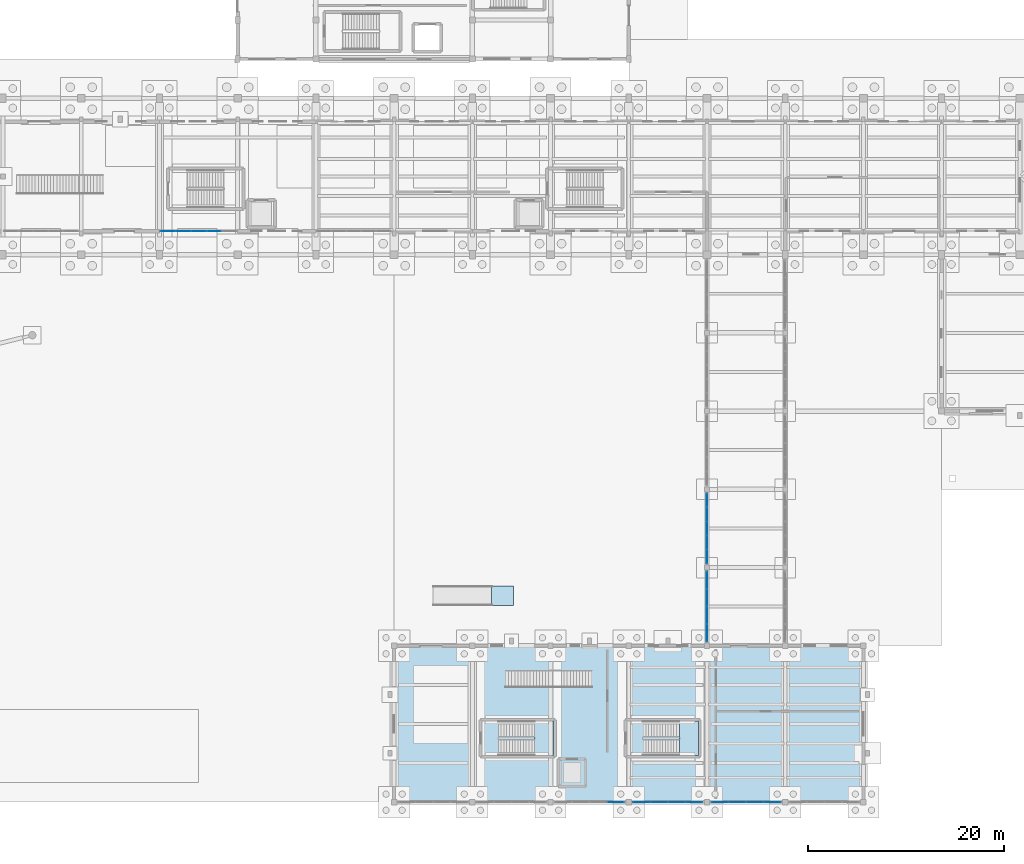
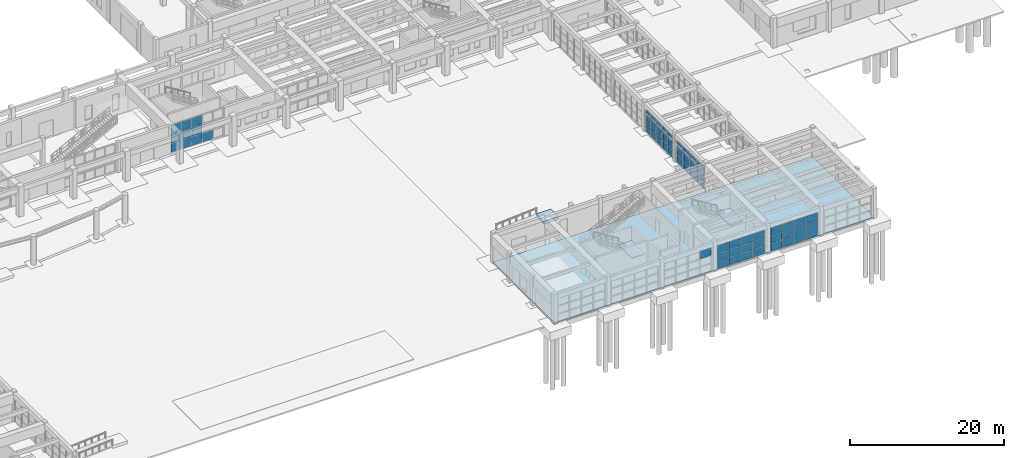
# One storey, part 38 of 68: 62 plates, 4 slabs, 8 elements without a shape of their own.
"""IFC4 building model written with IfcOpenShell, lengths in metres."""

from ifc_helpers import new_model, si_unit, direction, frame, origin, origin_2d, place, context, subcontext, project, spatial, polyline, rectangle, outline, extrude, material, layer, layer_set, type_object, element, aggregate, save


model = new_model("IFC4")

# Units and contexts
model_context = context("Model", 3, precision=1e-05, world=origin(), true_north=direction((0.0, 1.0)))
body_context = subcontext(model_context, "Body", "Model", "MODEL_VIEW")
ifc_project = project(units=[si_unit("LENGTHUNIT", "METRE"), si_unit("AREAUNIT", "SQUARE_METRE"), si_unit("VOLUMEUNIT", "CUBIC_METRE"), si_unit("PLANEANGLEUNIT", "RADIAN"), si_unit("MASSUNIT", "GRAM", prefix="KILO")], contexts=[model_context])

# Site, building, storey
site_placement = place(None, origin())
site = spatial("IfcSite", under=ifc_project, at=site_placement, CompositionType="ELEMENT")
building_placement = place(site_placement, origin())
building = spatial("IfcBuilding", under=site, at=building_placement, Name="Serraluz Foothill Cableway Terminal", CompositionType="ELEMENT")
storey_placement = place(building_placement, origin())
storey = spatial("IfcBuildingStorey", under=building, at=storey_placement, Name="L00", CompositionType="ELEMENT", Elevation=0.0)

# Curtain wall, plates
ifc_material_1 = material(Name="Architectural bronze alloy C28000", Category="aluminium")
curtain_wall_type_1 = type_object("IfcCurtainWallType", Name="TYP-CW-720X480", PredefinedType="NOTDEFINED", material=ifc_material_1)
curtain_wall_1_placement = place(storey_placement, origin())
curtain_wall_1 = element("IfcCurtainWall", 1, at=curtain_wall_1_placement, inside=storey, type_object=curtain_wall_type_1, Name="Ribbed Glazed Curtain Wall CW-V1S-L00-64", PredefinedType="NOTDEFINED")
ifc_material_2 = material(Name="Translucent ribbed laminated channel glass", Category="glass")
ifc_layer_1 = layer(ifc_material_2, 0.028076171875, Name="Translucent ribbed laminated channel glass", Category="glass")
ifc_layer_set_1 = layer_set([ifc_layer_1], Name="Translucent ribbed laminated channel glass")
plate_type_1 = type_object("IfcPlateType", Name="TYP-CW-PNL-28", PredefinedType="CURTAIN_PANEL", material=ifc_layer_set_1)
plate_1_placement = place(storey_placement, frame((69.5791015625, 58.39990234375, 0.06005859375), z_axis=(0.0, 0.0, 1.0), x_axis=(-1.0, 0.0, 0.0)))
plate_1 = element("IfcPlate", 2, at=plate_1_placement, type_object=plate_type_1, Name="CW-04 panel 2.1", PredefinedType="CURTAIN_PANEL", context=body_context, shape_type="SweptSolid", body=[
    extrude(rectangle(XDim=1.519287109375, YDim=0.028076171875, at=origin_2d()), origin(), (0.0, 0.0, 1.0), 1.393310546875),
])
plate_2_placement = place(storey_placement, frame((68.0, 58.39990234375, 0.06005859375), z_axis=(0.0, 0.0, 1.0), x_axis=(-1.0, 0.0, 0.0)))
plate_2 = element("IfcPlate", 3, at=plate_2_placement, type_object=plate_type_1, Name="CW-04 panel 3.1", PredefinedType="CURTAIN_PANEL", context=body_context, shape_type="SweptSolid", body=[
    extrude(rectangle(XDim=1.519287109375, YDim=0.028076171875, at=origin_2d()), origin(), (0.0, 0.0, 1.0), 1.393310546875),
])
plate_3_placement = place(storey_placement, frame((68.0, 58.39990234375, 1.513427734375), z_axis=(0.0, 0.0, 1.0), x_axis=(-1.0, 0.0, 0.0)))
plate_3 = element("IfcPlate", 4, at=plate_3_placement, type_object=plate_type_1, Name="CW-04 panel 3.2", PredefinedType="CURTAIN_PANEL", context=body_context, shape_type="SweptSolid", body=[
    extrude(rectangle(XDim=1.519287109375, YDim=0.028076171875, at=origin_2d()), origin(), (0.0, 0.0, 1.0), 1.42333984375),
])
plate_4_placement = place(storey_placement, frame((68.0, 58.39990234375, 2.99658203125), z_axis=(0.0, 0.0, 1.0), x_axis=(-1.0, 0.0, 0.0)))
plate_4 = element("IfcPlate", 5, at=plate_4_placement, type_object=plate_type_1, Name="CW-04 panel 3.3", PredefinedType="CURTAIN_PANEL", context=body_context, shape_type="SweptSolid", body=[
    extrude(rectangle(XDim=1.519287109375, YDim=0.028076171875, at=origin_2d()), origin(), (0.0, 0.0, 1.0), 1.393310546875),
])
plate_5_placement = place(storey_placement, frame((66.4208984375, 58.39990234375, 0.06005859375), z_axis=(0.0, 0.0, 1.0), x_axis=(-1.0, 0.0, 0.0)))
plate_5 = element("IfcPlate", 6, at=plate_5_placement, type_object=plate_type_1, Name="CW-04 panel 4.1", PredefinedType="CURTAIN_PANEL", context=body_context, shape_type="SweptSolid", body=[
    extrude(rectangle(XDim=1.519287109375, YDim=0.028076171875, at=origin_2d()), origin(), (0.0, 0.0, 1.0), 1.393310546875),
])
plate_6_placement = place(storey_placement, frame((66.4208984375, 58.39990234375, 1.513427734375), z_axis=(0.0, 0.0, 1.0), x_axis=(-1.0, 0.0, 0.0)))
plate_6 = element("IfcPlate", 7, at=plate_6_placement, type_object=plate_type_1, Name="CW-04 panel 4.2", PredefinedType="CURTAIN_PANEL", context=body_context, shape_type="SweptSolid", body=[
    extrude(rectangle(XDim=1.519287109375, YDim=0.028076171875, at=origin_2d()), origin(), (0.0, 0.0, 1.0), 1.42333984375),
])
plate_7_placement = place(storey_placement, frame((66.4208984375, 58.39990234375, 2.99658203125), z_axis=(0.0, 0.0, 1.0), x_axis=(-1.0, 0.0, 0.0)))
plate_7 = element("IfcPlate", 8, at=plate_7_placement, type_object=plate_type_1, Name="CW-04 panel 4.3", PredefinedType="CURTAIN_PANEL", context=body_context, shape_type="SweptSolid", body=[
    extrude(rectangle(XDim=1.519287109375, YDim=0.028076171875, at=origin_2d()), origin(), (0.0, 0.0, 1.0), 1.393310546875),
])
plate_8_placement = place(storey_placement, frame((64.856689453125, 58.39990234375, 0.06005859375), z_axis=(0.0, 0.0, 1.0), x_axis=(-1.0, 0.0, 0.0)))
plate_8 = element("IfcPlate", 9, at=plate_8_placement, type_object=plate_type_1, Name="CW-04 panel 5.1", PredefinedType="CURTAIN_PANEL", context=body_context, shape_type="SweptSolid", body=[
    extrude(rectangle(XDim=1.4892578125, YDim=0.028076171875, at=origin_2d()), origin(), (0.0, 0.0, 1.0), 1.393310546875),
])
plate_9_placement = place(storey_placement, frame((64.856689453125, 58.39990234375, 1.513427734375), z_axis=(0.0, 0.0, 1.0), x_axis=(-1.0, 0.0, 0.0)))
plate_9 = element("IfcPlate", 10, at=plate_9_placement, type_object=plate_type_1, Name="CW-04 panel 5.2", PredefinedType="CURTAIN_PANEL", context=body_context, shape_type="SweptSolid", body=[
    extrude(rectangle(XDim=1.4892578125, YDim=0.028076171875, at=origin_2d()), origin(), (0.0, 0.0, 1.0), 1.42333984375),
])
plate_10_placement = place(storey_placement, frame((64.856689453125, 58.39990234375, 2.99658203125), z_axis=(0.0, 0.0, 1.0), x_axis=(-1.0, 0.0, 0.0)))
plate_10 = element("IfcPlate", 11, at=plate_10_placement, type_object=plate_type_1, Name="CW-04 panel 5.3", PredefinedType="CURTAIN_PANEL", context=body_context, shape_type="SweptSolid", body=[
    extrude(rectangle(XDim=1.4892578125, YDim=0.028076171875, at=origin_2d()), origin(), (0.0, 0.0, 1.0), 1.393310546875),
])
aggregate(curtain_wall_1, [plate_1, plate_2, plate_3, plate_4, plate_5, plate_6, plate_7, plate_8, plate_9, plate_10])

curtain_wall_type_2 = type_object("IfcCurtainWallType", Name="TYP-CW-710X420", PredefinedType="NOTDEFINED", material=ifc_material_1)
curtain_wall_2_placement = place(storey_placement, origin())
curtain_wall_2 = element("IfcCurtainWall", 12, at=curtain_wall_2_placement, inside=storey, type_object=curtain_wall_type_2, Name="Ribbed Glazed Curtain Wall CW-CLW-L00-16", PredefinedType="NOTDEFINED")
plate_11_placement = place(storey_placement, frame((120.0, 17.329345703125, 0.06005859375), z_axis=(0.0, 0.0, 1.0), x_axis=(0.0, 1.0, 0.0)))
plate_11 = element("IfcPlate", 13, at=plate_11_placement, type_object=plate_type_1, Name="CW-01 panel 1.1", PredefinedType="CURTAIN_PANEL", context=body_context, shape_type="SweptSolid", body=[
    extrude(rectangle(XDim=1.708740234375, YDim=0.028076171875, at=origin_2d()), origin(), (0.0, 0.0, 1.0), 1.163330078125),
])
plate_12_placement = place(storey_placement, frame((120.0, 17.329345703125, 1.283203125), z_axis=(0.0, 0.0, 1.0), x_axis=(0.0, 1.0, 0.0)))
plate_12 = element("IfcPlate", 14, at=plate_12_placement, type_object=plate_type_1, Name="CW-01 panel 1.2", PredefinedType="CURTAIN_PANEL", context=body_context, shape_type="SweptSolid", body=[
    extrude(rectangle(XDim=1.708740234375, YDim=0.028076171875, at=origin_2d()), origin(), (0.0, 0.0, 1.0), 1.193359375),
])
plate_13_placement = place(storey_placement, frame((120.0, 17.329345703125, 2.53662109375), z_axis=(0.0, 0.0, 1.0), x_axis=(0.0, 1.0, 0.0)))
plate_13 = element("IfcPlate", 15, at=plate_13_placement, type_object=plate_type_1, Name="CW-01 panel 1.3", PredefinedType="CURTAIN_PANEL", context=body_context, shape_type="SweptSolid", body=[
    extrude(rectangle(XDim=1.708740234375, YDim=0.028076171875, at=origin_2d()), origin(), (0.0, 0.0, 1.0), 1.163330078125),
])
plate_14_placement = place(storey_placement, frame((120.0, 19.113037109375, 0.06005859375), z_axis=(0.0, 0.0, 1.0), x_axis=(0.0, 1.0, 0.0)))
plate_14 = element("IfcPlate", 16, at=plate_14_placement, type_object=plate_type_1, Name="CW-01 panel 2.1", PredefinedType="CURTAIN_PANEL", context=body_context, shape_type="SweptSolid", body=[
    extrude(rectangle(XDim=1.73876953125, YDim=0.028076171875, at=origin_2d()), origin(), (0.0, 0.0, 1.0), 1.163330078125),
])
plate_15_placement = place(storey_placement, frame((120.0, 19.113037109375, 1.283203125), z_axis=(0.0, 0.0, 1.0), x_axis=(0.0, 1.0, 0.0)))
plate_15 = element("IfcPlate", 17, at=plate_15_placement, type_object=plate_type_1, Name="CW-01 panel 2.2", PredefinedType="CURTAIN_PANEL", context=body_context, shape_type="SweptSolid", body=[
    extrude(rectangle(XDim=1.73876953125, YDim=0.028076171875, at=origin_2d()), origin(), (0.0, 0.0, 1.0), 1.193359375),
])
plate_16_placement = place(storey_placement, frame((120.0, 19.113037109375, 2.53662109375), z_axis=(0.0, 0.0, 1.0), x_axis=(0.0, 1.0, 0.0)))
plate_16 = element("IfcPlate", 18, at=plate_16_placement, type_object=plate_type_1, Name="CW-01 panel 2.3", PredefinedType="CURTAIN_PANEL", context=body_context, shape_type="SweptSolid", body=[
    extrude(rectangle(XDim=1.73876953125, YDim=0.028076171875, at=origin_2d()), origin(), (0.0, 0.0, 1.0), 1.163330078125),
])
plate_17_placement = place(storey_placement, frame((120.0, 20.911865234375, 0.06005859375), z_axis=(0.0, 0.0, 1.0), x_axis=(0.0, 1.0, 0.0)))
plate_17 = element("IfcPlate", 19, at=plate_17_placement, type_object=plate_type_1, Name="CW-01 panel 3.1", PredefinedType="CURTAIN_PANEL", context=body_context, shape_type="SweptSolid", body=[
    extrude(rectangle(XDim=1.73876953125, YDim=0.028076171875, at=origin_2d()), origin(), (0.0, 0.0, 1.0), 1.163330078125),
])
plate_18_placement = place(storey_placement, frame((120.0, 20.911865234375, 1.283203125), z_axis=(0.0, 0.0, 1.0), x_axis=(0.0, 1.0, 0.0)))
plate_18 = element("IfcPlate", 20, at=plate_18_placement, type_object=plate_type_1, Name="CW-01 panel 3.2", PredefinedType="CURTAIN_PANEL", context=body_context, shape_type="SweptSolid", body=[
    extrude(rectangle(XDim=1.73876953125, YDim=0.028076171875, at=origin_2d()), origin(), (0.0, 0.0, 1.0), 1.193359375),
])
plate_19_placement = place(storey_placement, frame((120.0, 20.911865234375, 2.53662109375), z_axis=(0.0, 0.0, 1.0), x_axis=(0.0, 1.0, 0.0)))
plate_19 = element("IfcPlate", 21, at=plate_19_placement, type_object=plate_type_1, Name="CW-01 panel 3.3", PredefinedType="CURTAIN_PANEL", context=body_context, shape_type="SweptSolid", body=[
    extrude(rectangle(XDim=1.73876953125, YDim=0.028076171875, at=origin_2d()), origin(), (0.0, 0.0, 1.0), 1.163330078125),
])
plate_20_placement = place(storey_placement, frame((120.0, 22.695556640625, 0.06005859375), z_axis=(0.0, 0.0, 1.0), x_axis=(0.0, 1.0, 0.0)))
plate_20 = element("IfcPlate", 22, at=plate_20_placement, type_object=plate_type_1, Name="CW-01 panel 4.1", PredefinedType="CURTAIN_PANEL", context=body_context, shape_type="SweptSolid", body=[
    extrude(rectangle(XDim=1.708740234375, YDim=0.028076171875, at=origin_2d()), origin(), (0.0, 0.0, 1.0), 1.163330078125),
])
plate_21_placement = place(storey_placement, frame((120.0, 22.695556640625, 1.283203125), z_axis=(0.0, 0.0, 1.0), x_axis=(0.0, 1.0, 0.0)))
plate_21 = element("IfcPlate", 23, at=plate_21_placement, type_object=plate_type_1, Name="CW-01 panel 4.2", PredefinedType="CURTAIN_PANEL", context=body_context, shape_type="SweptSolid", body=[
    extrude(rectangle(XDim=1.708740234375, YDim=0.028076171875, at=origin_2d()), origin(), (0.0, 0.0, 1.0), 1.193359375),
])
plate_22_placement = place(storey_placement, frame((120.0, 22.695556640625, 2.53662109375), z_axis=(0.0, 0.0, 1.0), x_axis=(0.0, 1.0, 0.0)))
plate_22 = element("IfcPlate", 24, at=plate_22_placement, type_object=plate_type_1, Name="CW-01 panel 4.3", PredefinedType="CURTAIN_PANEL", context=body_context, shape_type="SweptSolid", body=[
    extrude(rectangle(XDim=1.708740234375, YDim=0.028076171875, at=origin_2d()), origin(), (0.0, 0.0, 1.0), 1.163330078125),
])
aggregate(curtain_wall_2, [plate_11, plate_12, plate_13, plate_14, plate_15, plate_16, plate_17, plate_18, plate_19, plate_20, plate_21, plate_22])

curtain_wall_3_placement = place(storey_placement, origin())
curtain_wall_3 = element("IfcCurtainWall", 25, at=curtain_wall_3_placement, inside=storey, type_object=curtain_wall_type_2, Name="Ribbed Glazed Curtain Wall CW-CLW-L00-24", PredefinedType="NOTDEFINED")
plate_23_placement = place(storey_placement, frame((120.0, 25.126953125, 0.06005859375), z_axis=(0.0, 0.0, 1.0), x_axis=(0.0, 1.0, 0.0)))
plate_23 = element("IfcPlate", 26, at=plate_23_placement, type_object=plate_type_1, Name="CW-01 panel 1.1", PredefinedType="CURTAIN_PANEL", context=body_context, shape_type="SweptSolid", body=[
    extrude(rectangle(XDim=1.35400390625, YDim=0.028076171875, at=origin_2d()), origin(), (0.0, 0.0, 1.0), 1.163330078125),
])
plate_24_placement = place(storey_placement, frame((120.0, 25.126953125, 1.283203125), z_axis=(0.0, 0.0, 1.0), x_axis=(0.0, 1.0, 0.0)))
plate_24 = element("IfcPlate", 27, at=plate_24_placement, type_object=plate_type_1, Name="CW-01 panel 1.2", PredefinedType="CURTAIN_PANEL", context=body_context, shape_type="SweptSolid", body=[
    extrude(rectangle(XDim=1.35400390625, YDim=0.028076171875, at=origin_2d()), origin(), (0.0, 0.0, 1.0), 1.193359375),
])
plate_25_placement = place(storey_placement, frame((120.0, 25.126953125, 2.53662109375), z_axis=(0.0, 0.0, 1.0), x_axis=(0.0, 1.0, 0.0)))
plate_25 = element("IfcPlate", 28, at=plate_25_placement, type_object=plate_type_1, Name="CW-01 panel 1.3", PredefinedType="CURTAIN_PANEL", context=body_context, shape_type="SweptSolid", body=[
    extrude(rectangle(XDim=1.35400390625, YDim=0.028076171875, at=origin_2d()), origin(), (0.0, 0.0, 1.0), 1.163330078125),
])
plate_26_placement = place(storey_placement, frame((120.0, 26.555908203125, 0.06005859375), z_axis=(0.0, 0.0, 1.0), x_axis=(0.0, 1.0, 0.0)))
plate_26 = element("IfcPlate", 29, at=plate_26_placement, type_object=plate_type_1, Name="CW-01 panel 2.1", PredefinedType="CURTAIN_PANEL", context=body_context, shape_type="SweptSolid", body=[
    extrude(rectangle(XDim=1.384033203125, YDim=0.028076171875, at=origin_2d()), origin(), (0.0, 0.0, 1.0), 1.163330078125),
])
plate_27_placement = place(storey_placement, frame((120.0, 26.555908203125, 1.283203125), z_axis=(0.0, 0.0, 1.0), x_axis=(0.0, 1.0, 0.0)))
plate_27 = element("IfcPlate", 30, at=plate_27_placement, type_object=plate_type_1, Name="CW-01 panel 2.2", PredefinedType="CURTAIN_PANEL", context=body_context, shape_type="SweptSolid", body=[
    extrude(rectangle(XDim=1.384033203125, YDim=0.028076171875, at=origin_2d()), origin(), (0.0, 0.0, 1.0), 1.193359375),
])
plate_28_placement = place(storey_placement, frame((120.0, 26.555908203125, 2.53662109375), z_axis=(0.0, 0.0, 1.0), x_axis=(0.0, 1.0, 0.0)))
plate_28 = element("IfcPlate", 31, at=plate_28_placement, type_object=plate_type_1, Name="CW-01 panel 2.3", PredefinedType="CURTAIN_PANEL", context=body_context, shape_type="SweptSolid", body=[
    extrude(rectangle(XDim=1.384033203125, YDim=0.028076171875, at=origin_2d()), origin(), (0.0, 0.0, 1.0), 1.163330078125),
])
plate_29_placement = place(storey_placement, frame((120.0, 28.0, 0.06005859375), z_axis=(0.0, 0.0, 1.0), x_axis=(0.0, 1.0, 0.0)))
plate_29 = element("IfcPlate", 32, at=plate_29_placement, type_object=plate_type_1, Name="CW-01 panel 3.1", PredefinedType="CURTAIN_PANEL", context=body_context, shape_type="SweptSolid", body=[
    extrude(rectangle(XDim=1.384033203125, YDim=0.028076171875, at=origin_2d()), origin(), (0.0, 0.0, 1.0), 1.163330078125),
])
plate_30_placement = place(storey_placement, frame((120.0, 28.0, 1.283203125), z_axis=(0.0, 0.0, 1.0), x_axis=(0.0, 1.0, 0.0)))
plate_30 = element("IfcPlate", 33, at=plate_30_placement, type_object=plate_type_1, Name="CW-01 panel 3.2", PredefinedType="CURTAIN_PANEL", context=body_context, shape_type="SweptSolid", body=[
    extrude(rectangle(XDim=1.384033203125, YDim=0.028076171875, at=origin_2d()), origin(), (0.0, 0.0, 1.0), 1.193359375),
])
plate_31_placement = place(storey_placement, frame((120.0, 28.0, 2.53662109375), z_axis=(0.0, 0.0, 1.0), x_axis=(0.0, 1.0, 0.0)))
plate_31 = element("IfcPlate", 34, at=plate_31_placement, type_object=plate_type_1, Name="CW-01 panel 3.3", PredefinedType="CURTAIN_PANEL", context=body_context, shape_type="SweptSolid", body=[
    extrude(rectangle(XDim=1.384033203125, YDim=0.028076171875, at=origin_2d()), origin(), (0.0, 0.0, 1.0), 1.163330078125),
])
plate_32_placement = place(storey_placement, frame((120.0, 29.444091796875, 0.06005859375), z_axis=(0.0, 0.0, 1.0), x_axis=(0.0, 1.0, 0.0)))
plate_32 = element("IfcPlate", 35, at=plate_32_placement, type_object=plate_type_1, Name="CW-01 panel 4.1", PredefinedType="CURTAIN_PANEL", context=body_context, shape_type="SweptSolid", body=[
    extrude(rectangle(XDim=1.384033203125, YDim=0.028076171875, at=origin_2d()), origin(), (0.0, 0.0, 1.0), 1.163330078125),
])
plate_33_placement = place(storey_placement, frame((120.0, 29.444091796875, 1.283203125), z_axis=(0.0, 0.0, 1.0), x_axis=(0.0, 1.0, 0.0)))
plate_33 = element("IfcPlate", 36, at=plate_33_placement, type_object=plate_type_1, Name="CW-01 panel 4.2", PredefinedType="CURTAIN_PANEL", context=body_context, shape_type="SweptSolid", body=[
    extrude(rectangle(XDim=1.384033203125, YDim=0.028076171875, at=origin_2d()), origin(), (0.0, 0.0, 1.0), 1.193359375),
])
plate_34_placement = place(storey_placement, frame((120.0, 29.444091796875, 2.53662109375), z_axis=(0.0, 0.0, 1.0), x_axis=(0.0, 1.0, 0.0)))
plate_34 = element("IfcPlate", 37, at=plate_34_placement, type_object=plate_type_1, Name="CW-01 panel 4.3", PredefinedType="CURTAIN_PANEL", context=body_context, shape_type="SweptSolid", body=[
    extrude(rectangle(XDim=1.384033203125, YDim=0.028076171875, at=origin_2d()), origin(), (0.0, 0.0, 1.0), 1.163330078125),
])
plate_35_placement = place(storey_placement, frame((120.0, 30.873046875, 0.06005859375), z_axis=(0.0, 0.0, 1.0), x_axis=(0.0, 1.0, 0.0)))
plate_35 = element("IfcPlate", 38, at=plate_35_placement, type_object=plate_type_1, Name="CW-01 panel 5.1", PredefinedType="CURTAIN_PANEL", context=body_context, shape_type="SweptSolid", body=[
    extrude(rectangle(XDim=1.35400390625, YDim=0.028076171875, at=origin_2d()), origin(), (0.0, 0.0, 1.0), 1.163330078125),
])
plate_36_placement = place(storey_placement, frame((120.0, 30.873046875, 1.283203125), z_axis=(0.0, 0.0, 1.0), x_axis=(0.0, 1.0, 0.0)))
plate_36 = element("IfcPlate", 39, at=plate_36_placement, type_object=plate_type_1, Name="CW-01 panel 5.2", PredefinedType="CURTAIN_PANEL", context=body_context, shape_type="SweptSolid", body=[
    extrude(rectangle(XDim=1.35400390625, YDim=0.028076171875, at=origin_2d()), origin(), (0.0, 0.0, 1.0), 1.193359375),
])
plate_37_placement = place(storey_placement, frame((120.0, 30.873046875, 2.53662109375), z_axis=(0.0, 0.0, 1.0), x_axis=(0.0, 1.0, 0.0)))
plate_37 = element("IfcPlate", 40, at=plate_37_placement, type_object=plate_type_1, Name="CW-01 panel 5.3", PredefinedType="CURTAIN_PANEL", context=body_context, shape_type="SweptSolid", body=[
    extrude(rectangle(XDim=1.35400390625, YDim=0.028076171875, at=origin_2d()), origin(), (0.0, 0.0, 1.0), 1.163330078125),
])
aggregate(curtain_wall_3, [plate_23, plate_24, plate_25, plate_26, plate_27, plate_28, plate_29, plate_30, plate_31, plate_32, plate_33, plate_34, plate_35, plate_36, plate_37])

# Curtain wall, plate
curtain_wall_type_3 = type_object("IfcCurtainWallType", Name="TYP-CW-480X380", PredefinedType="NOTDEFINED", material=ifc_material_1)
curtain_wall_4_placement = place(storey_placement, origin())
curtain_wall_4 = element("IfcCurtainWall", 41, at=curtain_wall_4_placement, inside=storey, type_object=curtain_wall_type_3, Name="Ribbed Glazed Curtain Wall CW-V3S-L00-104", PredefinedType="NOTDEFINED")
ifc_material_3 = material(Name="Laminated low-E safety glass", Category="glass")
ifc_layer_2 = layer(ifc_material_3, 0.031982421875, Name="Laminated low-E safety glass", Category="glass")
ifc_layer_set_2 = layer_set([ifc_layer_2], Name="Laminated low-E safety glass")
plate_type_2 = type_object("IfcPlateType", Name="TYP-CW-PNL-32", PredefinedType="CURTAIN_PANEL", material=ifc_layer_set_2)
plate_38_placement = place(storey_placement, frame((110.673828125, 0.0, 2.556640625), z_axis=(0.0, 0.0, 1.0), x_axis=(-1.0, 0.0, 0.0)))
plate_38 = element("IfcPlate", 42, at=plate_38_placement, type_object=plate_type_2, Name="CW-14 panel 1.3", PredefinedType="CURTAIN_PANEL", context=body_context, shape_type="SweptSolid", body=[
    extrude(rectangle(XDim=1.702392578125, YDim=0.031982421875, at=origin_2d()), origin(), (0.0, 0.0, 1.0), 1.17333984375),
])
aggregate(curtain_wall_4, [plate_38])

# Curtain wall, plates
curtain_wall_type_4 = type_object("IfcCurtainWallType", Name="TYP-CW-480X420", PredefinedType="NOTDEFINED", material=ifc_material_1)
curtain_wall_5_placement = place(storey_placement, origin())
curtain_wall_5 = element("IfcCurtainWall", 43, at=curtain_wall_5_placement, inside=storey, type_object=curtain_wall_type_4, Name="Ribbed Glazed Curtain Wall CW-V3S-L00-112", PredefinedType="NOTDEFINED")
plate_39_placement = place(storey_placement, frame((118.673828125, 0.0, 0.06005859375), z_axis=(0.0, 0.0, 1.0), x_axis=(-1.0, 0.0, 0.0)))
plate_39 = element("IfcPlate", 44, at=plate_39_placement, type_object=plate_type_2, Name="CW-15 panel 1.1", PredefinedType="CURTAIN_PANEL", context=body_context, shape_type="SweptSolid", body=[
    extrude(rectangle(XDim=1.702392578125, YDim=0.031982421875, at=origin_2d()), origin(), (0.0, 0.0, 1.0), 1.17333984375),
])
plate_40_placement = place(storey_placement, frame((118.673828125, 0.0, 1.29345703125), z_axis=(0.0, 0.0, 1.0), x_axis=(-1.0, 0.0, 0.0)))
plate_40 = element("IfcPlate", 45, at=plate_40_placement, type_object=plate_type_2, Name="CW-15 panel 1.2", PredefinedType="CURTAIN_PANEL", context=body_context, shape_type="SweptSolid", body=[
    extrude(rectangle(XDim=1.702392578125, YDim=0.031982421875, at=origin_2d()), origin(), (0.0, 0.0, 1.0), 1.203369140625),
])
plate_41_placement = place(storey_placement, frame((118.673828125, 0.0, 2.556640625), z_axis=(0.0, 0.0, 1.0), x_axis=(-1.0, 0.0, 0.0)))
plate_41 = element("IfcPlate", 46, at=plate_41_placement, type_object=plate_type_2, Name="CW-15 panel 1.3", PredefinedType="CURTAIN_PANEL", context=body_context, shape_type="SweptSolid", body=[
    extrude(rectangle(XDim=1.702392578125, YDim=0.031982421875, at=origin_2d()), origin(), (0.0, 0.0, 1.0), 1.17333984375),
])
plate_42_placement = place(storey_placement, frame((116.896240234375, 0.0, 0.06005859375), z_axis=(0.0, 0.0, 1.0), x_axis=(-1.0, 0.0, 0.0)))
plate_42 = element("IfcPlate", 47, at=plate_42_placement, type_object=plate_type_2, Name="CW-15 panel 2.1", PredefinedType="CURTAIN_PANEL", context=body_context, shape_type="SweptSolid", body=[
    extrude(rectangle(XDim=1.732421875, YDim=0.031982421875, at=origin_2d()), origin(), (0.0, 0.0, 1.0), 1.17333984375),
])
plate_43_placement = place(storey_placement, frame((116.896240234375, 0.0, 1.29345703125), z_axis=(0.0, 0.0, 1.0), x_axis=(-1.0, 0.0, 0.0)))
plate_43 = element("IfcPlate", 48, at=plate_43_placement, type_object=plate_type_2, Name="CW-15 panel 2.2", PredefinedType="CURTAIN_PANEL", context=body_context, shape_type="SweptSolid", body=[
    extrude(rectangle(XDim=1.732421875, YDim=0.031982421875, at=origin_2d()), origin(), (0.0, 0.0, 1.0), 1.203369140625),
])
plate_44_placement = place(storey_placement, frame((116.896240234375, 0.0, 2.556640625), z_axis=(0.0, 0.0, 1.0), x_axis=(-1.0, 0.0, 0.0)))
plate_44 = element("IfcPlate", 49, at=plate_44_placement, type_object=plate_type_2, Name="CW-15 panel 2.3", PredefinedType="CURTAIN_PANEL", context=body_context, shape_type="SweptSolid", body=[
    extrude(rectangle(XDim=1.732421875, YDim=0.031982421875, at=origin_2d()), origin(), (0.0, 0.0, 1.0), 1.17333984375),
])
plate_45_placement = place(storey_placement, frame((115.103759765625, 0.0, 0.06005859375), z_axis=(0.0, 0.0, 1.0), x_axis=(-1.0, 0.0, 0.0)))
plate_45 = element("IfcPlate", 50, at=plate_45_placement, type_object=plate_type_2, Name="CW-15 panel 3.1", PredefinedType="CURTAIN_PANEL", context=body_context, shape_type="SweptSolid", body=[
    extrude(rectangle(XDim=1.732421875, YDim=0.031982421875, at=origin_2d()), origin(), (0.0, 0.0, 1.0), 1.17333984375),
])
plate_46_placement = place(storey_placement, frame((115.103759765625, 0.0, 1.29345703125), z_axis=(0.0, 0.0, 1.0), x_axis=(-1.0, 0.0, 0.0)))
plate_46 = element("IfcPlate", 51, at=plate_46_placement, type_object=plate_type_2, Name="CW-15 panel 3.2", PredefinedType="CURTAIN_PANEL", context=body_context, shape_type="SweptSolid", body=[
    extrude(rectangle(XDim=1.732421875, YDim=0.031982421875, at=origin_2d()), origin(), (0.0, 0.0, 1.0), 1.203369140625),
])
plate_47_placement = place(storey_placement, frame((115.103759765625, 0.0, 2.556640625), z_axis=(0.0, 0.0, 1.0), x_axis=(-1.0, 0.0, 0.0)))
plate_47 = element("IfcPlate", 52, at=plate_47_placement, type_object=plate_type_2, Name="CW-15 panel 3.3", PredefinedType="CURTAIN_PANEL", context=body_context, shape_type="SweptSolid", body=[
    extrude(rectangle(XDim=1.732421875, YDim=0.031982421875, at=origin_2d()), origin(), (0.0, 0.0, 1.0), 1.17333984375),
])
plate_48_placement = place(storey_placement, frame((113.326171875, 0.0, 0.06005859375), z_axis=(0.0, 0.0, 1.0), x_axis=(-1.0, 0.0, 0.0)))
plate_48 = element("IfcPlate", 53, at=plate_48_placement, type_object=plate_type_2, Name="CW-15 panel 4.1", PredefinedType="CURTAIN_PANEL", context=body_context, shape_type="SweptSolid", body=[
    extrude(rectangle(XDim=1.702392578125, YDim=0.031982421875, at=origin_2d()), origin(), (0.0, 0.0, 1.0), 1.17333984375),
])
plate_49_placement = place(storey_placement, frame((113.326171875, 0.0, 1.29345703125), z_axis=(0.0, 0.0, 1.0), x_axis=(-1.0, 0.0, 0.0)))
plate_49 = element("IfcPlate", 54, at=plate_49_placement, type_object=plate_type_2, Name="CW-15 panel 4.2", PredefinedType="CURTAIN_PANEL", context=body_context, shape_type="SweptSolid", body=[
    extrude(rectangle(XDim=1.702392578125, YDim=0.031982421875, at=origin_2d()), origin(), (0.0, 0.0, 1.0), 1.203369140625),
])
plate_50_placement = place(storey_placement, frame((113.326171875, 0.0, 2.556640625), z_axis=(0.0, 0.0, 1.0), x_axis=(-1.0, 0.0, 0.0)))
plate_50 = element("IfcPlate", 55, at=plate_50_placement, type_object=plate_type_2, Name="CW-15 panel 4.3", PredefinedType="CURTAIN_PANEL", context=body_context, shape_type="SweptSolid", body=[
    extrude(rectangle(XDim=1.702392578125, YDim=0.031982421875, at=origin_2d()), origin(), (0.0, 0.0, 1.0), 1.17333984375),
])
aggregate(curtain_wall_5, [plate_39, plate_40, plate_41, plate_42, plate_43, plate_44, plate_45, plate_46, plate_47, plate_48, plate_49, plate_50])

curtain_wall_type_5 = type_object("IfcCurtainWallType", Name="TYP-CW-440X360", PredefinedType="NOTDEFINED", material=ifc_material_1)
curtain_wall_6_placement = place(storey_placement, origin())
curtain_wall_6 = element("IfcCurtainWall", 56, at=curtain_wall_6_placement, inside=storey, type_object=curtain_wall_type_5, Name="Ribbed Glazed Curtain Wall CW-V3S-L00-120", PredefinedType="NOTDEFINED")
plate_51_placement = place(storey_placement, frame((126.673828125, 0.0, 0.06005859375), z_axis=(0.0, 0.0, 1.0), x_axis=(-1.0, 0.0, 0.0)))
plate_51 = element("IfcPlate", 57, at=plate_51_placement, type_object=plate_type_2, Name="CW-16 panel 1.1", PredefinedType="CURTAIN_PANEL", context=body_context, shape_type="SweptSolid", body=[
    extrude(rectangle(XDim=1.702392578125, YDim=0.031982421875, at=origin_2d()), origin(), (0.0, 0.0, 1.0), 1.17333984375),
])
plate_52_placement = place(storey_placement, frame((126.673828125, 0.0, 1.29345703125), z_axis=(0.0, 0.0, 1.0), x_axis=(-1.0, 0.0, 0.0)))
plate_52 = element("IfcPlate", 58, at=plate_52_placement, type_object=plate_type_2, Name="CW-16 panel 1.2", PredefinedType="CURTAIN_PANEL", context=body_context, shape_type="SweptSolid", body=[
    extrude(rectangle(XDim=1.702392578125, YDim=0.031982421875, at=origin_2d()), origin(), (0.0, 0.0, 1.0), 1.203369140625),
])
plate_53_placement = place(storey_placement, frame((126.673828125, 0.0, 2.556640625), z_axis=(0.0, 0.0, 1.0), x_axis=(-1.0, 0.0, 0.0)))
plate_53 = element("IfcPlate", 59, at=plate_53_placement, type_object=plate_type_2, Name="CW-16 panel 1.3", PredefinedType="CURTAIN_PANEL", context=body_context, shape_type="SweptSolid", body=[
    extrude(rectangle(XDim=1.702392578125, YDim=0.031982421875, at=origin_2d()), origin(), (0.0, 0.0, 1.0), 1.17333984375),
])
plate_54_placement = place(storey_placement, frame((124.896240234375, 0.0, 0.06005859375), z_axis=(0.0, 0.0, 1.0), x_axis=(-1.0, 0.0, 0.0)))
plate_54 = element("IfcPlate", 60, at=plate_54_placement, type_object=plate_type_2, Name="CW-16 panel 2.1", PredefinedType="CURTAIN_PANEL", context=body_context, shape_type="SweptSolid", body=[
    extrude(rectangle(XDim=1.732421875, YDim=0.031982421875, at=origin_2d()), origin(), (0.0, 0.0, 1.0), 1.17333984375),
])
plate_55_placement = place(storey_placement, frame((124.896240234375, 0.0, 1.29345703125), z_axis=(0.0, 0.0, 1.0), x_axis=(-1.0, 0.0, 0.0)))
plate_55 = element("IfcPlate", 61, at=plate_55_placement, type_object=plate_type_2, Name="CW-16 panel 2.2", PredefinedType="CURTAIN_PANEL", context=body_context, shape_type="SweptSolid", body=[
    extrude(rectangle(XDim=1.732421875, YDim=0.031982421875, at=origin_2d()), origin(), (0.0, 0.0, 1.0), 1.203369140625),
])
plate_56_placement = place(storey_placement, frame((124.896240234375, 0.0, 2.556640625), z_axis=(0.0, 0.0, 1.0), x_axis=(-1.0, 0.0, 0.0)))
plate_56 = element("IfcPlate", 62, at=plate_56_placement, type_object=plate_type_2, Name="CW-16 panel 2.3", PredefinedType="CURTAIN_PANEL", context=body_context, shape_type="SweptSolid", body=[
    extrude(rectangle(XDim=1.732421875, YDim=0.031982421875, at=origin_2d()), origin(), (0.0, 0.0, 1.0), 1.17333984375),
])
plate_57_placement = place(storey_placement, frame((123.103759765625, 0.0, 0.06005859375), z_axis=(0.0, 0.0, 1.0), x_axis=(-1.0, 0.0, 0.0)))
plate_57 = element("IfcPlate", 63, at=plate_57_placement, type_object=plate_type_2, Name="CW-16 panel 3.1", PredefinedType="CURTAIN_PANEL", context=body_context, shape_type="SweptSolid", body=[
    extrude(rectangle(XDim=1.732421875, YDim=0.031982421875, at=origin_2d()), origin(), (0.0, 0.0, 1.0), 1.17333984375),
])
plate_58_placement = place(storey_placement, frame((123.103759765625, 0.0, 1.29345703125), z_axis=(0.0, 0.0, 1.0), x_axis=(-1.0, 0.0, 0.0)))
plate_58 = element("IfcPlate", 64, at=plate_58_placement, type_object=plate_type_2, Name="CW-16 panel 3.2", PredefinedType="CURTAIN_PANEL", context=body_context, shape_type="SweptSolid", body=[
    extrude(rectangle(XDim=1.732421875, YDim=0.031982421875, at=origin_2d()), origin(), (0.0, 0.0, 1.0), 1.203369140625),
])
plate_59_placement = place(storey_placement, frame((123.103759765625, 0.0, 2.556640625), z_axis=(0.0, 0.0, 1.0), x_axis=(-1.0, 0.0, 0.0)))
plate_59 = element("IfcPlate", 65, at=plate_59_placement, type_object=plate_type_2, Name="CW-16 panel 3.3", PredefinedType="CURTAIN_PANEL", context=body_context, shape_type="SweptSolid", body=[
    extrude(rectangle(XDim=1.732421875, YDim=0.031982421875, at=origin_2d()), origin(), (0.0, 0.0, 1.0), 1.17333984375),
])
plate_60_placement = place(storey_placement, frame((121.326171875, 0.0, 0.06005859375), z_axis=(0.0, 0.0, 1.0), x_axis=(-1.0, 0.0, 0.0)))
plate_60 = element("IfcPlate", 66, at=plate_60_placement, type_object=plate_type_2, Name="CW-16 panel 4.1", PredefinedType="CURTAIN_PANEL", context=body_context, shape_type="SweptSolid", body=[
    extrude(rectangle(XDim=1.702392578125, YDim=0.031982421875, at=origin_2d()), origin(), (0.0, 0.0, 1.0), 1.17333984375),
])
plate_61_placement = place(storey_placement, frame((121.326171875, 0.0, 1.29345703125), z_axis=(0.0, 0.0, 1.0), x_axis=(-1.0, 0.0, 0.0)))
plate_61 = element("IfcPlate", 67, at=plate_61_placement, type_object=plate_type_2, Name="CW-16 panel 4.2", PredefinedType="CURTAIN_PANEL", context=body_context, shape_type="SweptSolid", body=[
    extrude(rectangle(XDim=1.702392578125, YDim=0.031982421875, at=origin_2d()), origin(), (0.0, 0.0, 1.0), 1.203369140625),
])
plate_62_placement = place(storey_placement, frame((121.326171875, 0.0, 2.556640625), z_axis=(0.0, 0.0, 1.0), x_axis=(-1.0, 0.0, 0.0)))
plate_62 = element("IfcPlate", 68, at=plate_62_placement, type_object=plate_type_2, Name="CW-16 panel 4.3", PredefinedType="CURTAIN_PANEL", context=body_context, shape_type="SweptSolid", body=[
    extrude(rectangle(XDim=1.702392578125, YDim=0.031982421875, at=origin_2d()), origin(), (0.0, 0.0, 1.0), 1.17333984375),
])
aggregate(curtain_wall_6, [plate_51, plate_52, plate_53, plate_54, plate_55, plate_56, plate_57, plate_58, plate_59, plate_60, plate_61, plate_62])

# Slabs
ifc_material_4 = material(Name="Concrete C28/35 (f'c 28 MPa)", Category="concrete")
ifc_layer_3 = layer(ifc_material_4, 0.300048828125, Name="Concrete C28/35 (f'c 28 MPa)", Category="concrete")
ifc_layer_set_3 = layer_set([ifc_layer_3], Name="Concrete C28/35 (f'c 28 MPa)")
slab_type_1 = type_object("IfcSlabType", Name="TYP-SLB-BASE-300", PredefinedType="BASESLAB", material=ifc_layer_set_3)
slab_1_placement = place(storey_placement, frame((0.0, 0.0, -0.300048828125)))
element("IfcSlab", 69, at=slab_1_placement, inside=storey, type_object=slab_type_1, Name="Structural Slab SLB-L00-V3A", PredefinedType="BASESLAB", context=body_context, shape_type="SweptSolid", body=[
    extrude(outline(polyline([(88.0, 0.0), (136.0, 0.0), (136.0, 16.0), (88.0, 16.0), (88.0, 0.0)])), origin(), (0.0, 0.0, 1.0), 0.300048828125),
])
ifc_material_5 = material(Name="Concrete C35/45 (f'c 35 MPa)", Category="concrete")
ifc_layer_4 = layer(ifc_material_5, 0.449951171875, Name="Concrete C35/45 (f'c 35 MPa)", Category="concrete")
ifc_layer_set_4 = layer_set([ifc_layer_4], Name="Concrete C35/45 (f'c 35 MPa)")
slab_type_2 = type_object("IfcSlabType", Name="TYP-SLB-BASE-450", PredefinedType="BASESLAB", material=ifc_layer_set_4)
slab_2_placement = place(storey_placement, origin())
element("IfcSlab", 70, at=slab_2_placement, inside=storey, type_object=slab_type_2, Name="Ramp Arrival Plinth RMP-04", PredefinedType="BASESLAB", context=body_context, shape_type="SweptSolid", body=[
    extrude(outline(polyline([(97.949951171875, 20.10009765625), (100.199951171875, 20.10009765625), (100.199951171875, 22.10009765625), (97.949951171875, 22.10009765625), (97.949951171875, 20.10009765625)])), origin(), (0.0, 0.0, 1.0), 0.449951171875),
])

# Stair, slab
stair_type = type_object("IfcStairType", Name="TYP-ST-DOG-166-48", PredefinedType="HALF_TURN_STAIR", material=ifc_material_5)
stair_1_placement = place(storey_placement, origin())
stair_1 = element("IfcStair", 71, at=stair_1_placement, inside=storey, type_object=stair_type, Name="L00 ST-06", PredefinedType="HALF_TURN_STAIR")
ifc_layer_5 = layer(ifc_material_4, 0.199951171875, Name="Concrete C28/35 (f'c 28 MPa)", Category="concrete")
ifc_layer_set_5 = layer_set([ifc_layer_5], Name="Concrete C28/35 (f'c 28 MPa)")
slab_type_3 = type_object("IfcSlabType", Name="TYP-SLB-LND-200", PredefinedType="LANDING", material=ifc_layer_set_5)
slab_3_placement = place(storey_placement, frame((0.0, 0.0, 2.199951171875)))
slab_3 = element("IfcSlab", 72, at=slab_3_placement, type_object=slab_type_3, Name="ST-06 landing 1", PredefinedType="LANDING", context=body_context, shape_type="SweptSolid", body=[
    extrude(outline(polyline([(102.364990234375, 4.800048828125), (104.31005859375, 4.800048828125), (104.31005859375, 8.280029296875), (102.364990234375, 8.280029296875), (102.364990234375, 4.800048828125)])), origin(), (0.0, 0.0, 1.0), 0.199951171875),
])
aggregate(stair_1, [slab_3])

stair_2_placement = place(storey_placement, origin())
stair_2 = element("IfcStair", 73, at=stair_2_placement, inside=storey, type_object=stair_type, Name="L00 ST-07", PredefinedType="HALF_TURN_STAIR")
slab_4_placement = place(storey_placement, frame((0.0, 0.0, 2.199951171875)))
slab_4 = element("IfcSlab", 74, at=slab_4_placement, type_object=slab_type_3, Name="ST-07 landing 1", PredefinedType="LANDING", context=body_context, shape_type="SweptSolid", body=[
    extrude(outline(polyline([(117.1650390625, 4.800048828125), (119.110107421875, 4.800048828125), (119.110107421875, 8.280029296875), (117.1650390625, 8.280029296875), (117.1650390625, 4.800048828125)])), origin(), (0.0, 0.0, 1.0), 0.199951171875),
])
aggregate(stair_2, [slab_4])

save(model, "model.ifc")
